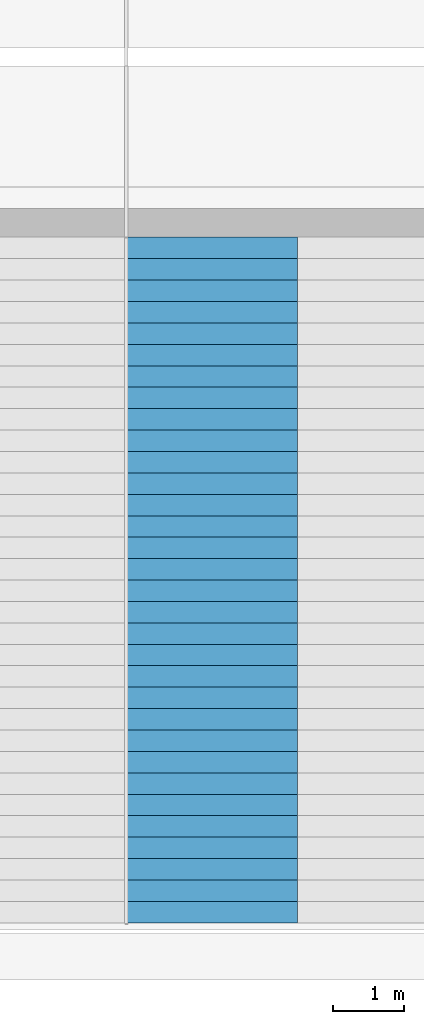
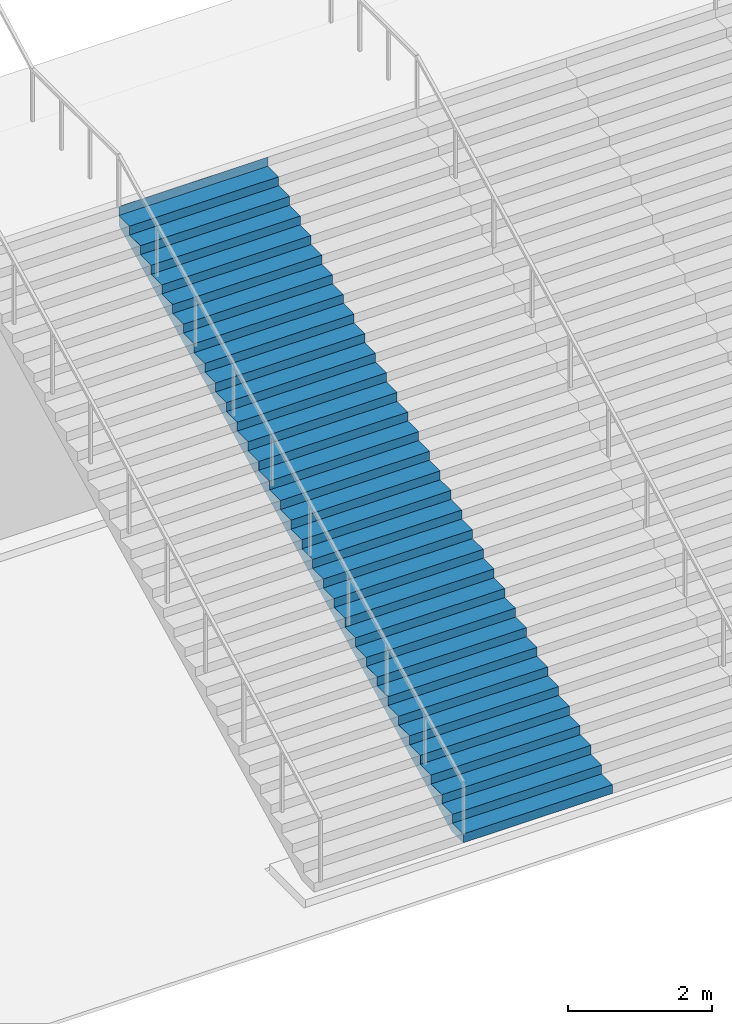
# One storey, part 31 of 57: 1 stair flight, 1 element without a shape of its own.
"""IFC4 building model written with IfcOpenShell, lengths in metres."""

import ifcopenshell
import ifcopenshell.guid

model = None  # the IFC model being written
_history = None  # IfcOwnerHistory: only IFC2X3 demands one
_inside = {}  # id of a spatial element -> (the spatial element, [elements in it])
_under = {}  # id of a project, library or spatial element -> (it, [spatial elements below it])
_declared = {}  # id of a project -> (the project, [libraries it declares])
_typed = {}  # id of a type object -> (the type object, [elements of that type])
_made_of = {}  # id of a material, layer set ... -> (it, [elements and type objects made of it])


def new_model(schema):
    """Start an empty IFC model of exactly this schema.

    Asked for "IFC4X3", IfcOpenShell would pick the latest addendum, in which some entities
    have other attributes; the version numbers below select the first issue.
    IFC2X3 requires an IfcOwnerHistory on every rooted entity: one is made here for all.
    """
    global model, _history
    if schema == "IFC4X3":
        model = ifcopenshell.file(schema_version=(4, 3, 0, 0))
    else:
        model = ifcopenshell.file(schema=schema)
    _inside.clear()
    _under.clear()
    _declared.clear()
    _typed.clear()
    _made_of.clear()
    _history = None
    if model.schema == "IFC2X3":
        org = make("IfcOrganization", Name="unknown")
        user = make(
            "IfcPersonAndOrganization",
            ThePerson=make("IfcPerson", FamilyName="unknown"),
            TheOrganization=org,
        )
        app = make(
            "IfcApplication",
            ApplicationDeveloper=org,
            Version="unknown",
            ApplicationFullName="unknown",
            ApplicationIdentifier="unknown",
        )
        _history = make(
            "IfcOwnerHistory",
            OwningUser=user,
            OwningApplication=app,
            ChangeAction="ADDED",
            CreationDate=0,
        )
    return model


def make(cls, **values):
    """One entity of the class cls with the attributes given. An attribute that is None is left unset."""
    return model.create_entity(
        cls, **{name: value for name, value in values.items() if value is not None}
    )


def rooted(cls, **values):
    """An entity with a GlobalId (a new one), such as an element, a storey or a relation."""
    return make(cls, GlobalId=ifcopenshell.guid.new(), OwnerHistory=_history, **values)


def si_unit(unit_type, name, prefix=None):
    """IfcSIUnit, for example si_unit("LENGTHUNIT", "METRE", prefix="MILLI")."""
    return make("IfcSIUnit", UnitType=unit_type, Prefix=prefix, Name=name)


def assignment(units):
    """IfcUnitAssignment: the units of a project."""
    return None if units is None else make("IfcUnitAssignment", Units=units)


def point(xyz):
    """IfcCartesianPoint."""
    return None if xyz is None else make("IfcCartesianPoint", Coordinates=xyz)


def direction(xyz):
    """IfcDirection."""
    return None if xyz is None else make("IfcDirection", DirectionRatios=xyz)


def frame(location, z_axis=None, x_axis=None):
    """IfcAxis2Placement3D, a coordinate frame: its origin and axes. An axis left out is left unset."""
    return make(
        "IfcAxis2Placement3D",
        Location=point(location),
        Axis=direction(z_axis),
        RefDirection=direction(x_axis),
    )


def origin():
    """The frame at (0, 0, 0) with its axes left unset."""
    return frame((0.0, 0.0, 0.0))


def place(relative_to, where):
    """IfcLocalPlacement: puts the frame where relative to a parent placement (None: the world)."""
    return make(
        "IfcLocalPlacement", PlacementRelTo=relative_to, RelativePlacement=where
    )


def context(
    kind, dimensions, precision=None, world=None, true_north=None, identifier=None
):
    """IfcGeometricRepresentationContext, for example the 3D "Model" context."""
    return make(
        "IfcGeometricRepresentationContext",
        ContextIdentifier=identifier,
        ContextType=kind,
        CoordinateSpaceDimension=dimensions,
        Precision=precision,
        WorldCoordinateSystem=world,
        TrueNorth=true_north,
    )


def subcontext(parent, identifier, kind, view, scale=None):
    """IfcGeometricRepresentationSubContext, for example "Body" below "Model"."""
    return make(
        "IfcGeometricRepresentationSubContext",
        ContextIdentifier=identifier,
        ContextType=kind,
        ParentContext=parent,
        TargetScale=scale,
        TargetView=view,
    )


def project(units=None, contexts=None):
    """IfcProject with its units and contexts."""
    return rooted(
        "IfcProject",
        Name="project",
        RepresentationContexts=contexts,
        UnitsInContext=assignment(units),
    )


def spatial(cls, under=None, at=None, **own):
    """A site, building, storey or space (cls), placed at a placement, below another one or the project."""
    s = rooted(cls, ObjectPlacement=at, **own)
    if under is not None:
        _under.setdefault(under.id(), (under, []))[1].append(s)
    return s


def point_list(points):
    """IfcCartesianPointList2D or 3D."""
    cls = (
        "IfcCartesianPointList2D" if len(points[0]) == 2 else "IfcCartesianPointList3D"
    )
    return make(cls, CoordList=points)


def triangles(points, corners, closed=None, point_numbers=None):
    """IfcTriangulatedFaceSet: each triangle names its three corners, points numbered from 1."""
    return make(
        "IfcTriangulatedFaceSet",
        Coordinates=point_list(points),
        Closed=closed,
        CoordIndex=corners,
        PnIndex=point_numbers,
    )


def shape(context_of_items, identifier, shape_type, items):
    """IfcShapeRepresentation: the items that make up one representation, for example the "Body"."""
    return make(
        "IfcShapeRepresentation",
        ContextOfItems=context_of_items,
        RepresentationIdentifier=identifier,
        RepresentationType=shape_type,
        Items=items,
    )


def material(Name=None, Category=None):
    """IfcMaterial."""
    return make("IfcMaterial", Name=Name, Category=Category)


def made_of(thing, what):
    """Note that an element or type object is made of a material, layer set ...; save() writes the relation."""
    if what is not None:
        _made_of.setdefault(what.id(), (what, []))[1].append(thing)
    return thing


def type_object(cls, material=None, **own):
    """A type object (cls), such as IfcWallType, which elements share."""
    return made_of(rooted(cls, **own), material)


def element(
    cls,
    number,
    at=None,
    inside=None,
    cuts=None,
    type_object=None,
    material=None,
    context=None,
    identifier="Body",
    shape_type=None,
    held_by="IfcProductDefinitionShape",
    body=None,
    shapes=None,
    **own,
):
    """One element of the class cls, such as IfcWall. Its Tag is "e" and its number.

    at: its placement. inside: the storey or other place that contains it. cuts: it is an
    opening in that element (IfcRelVoidsElement). A single representation is given by context,
    identifier, shape_type and body (its items); several are given by shapes. held_by: the class
    of the entity that holds the representations. save() writes the other relations.
    """
    e = rooted(cls, Tag="e%d" % number, ObjectPlacement=at, **own)
    if body is not None:
        shapes = [shape(context, identifier, shape_type, body)]
    if shapes is not None:
        e.Representation = make(held_by, Representations=shapes)
    if inside is not None:
        _inside.setdefault(inside.id(), (inside, []))[1].append(e)
    if cuts is not None:
        rooted(
            "IfcRelVoidsElement", RelatingBuildingElement=cuts, RelatedOpeningElement=e
        )
    if type_object is not None:
        _typed.setdefault(type_object.id(), (type_object, []))[1].append(e)
    return made_of(e, material)


def aggregate(whole, parts):
    """IfcRelAggregates: a whole, such as a stair, and the parts it consists of."""
    return rooted("IfcRelAggregates", RelatingObject=whole, RelatedObjects=parts)


def save(model, path):
    """Write the relations noted so far, then the file.

    IfcRelAggregates (storeys below a building ...), IfcRelContainedInSpatialStructure (elements
    in a storey), IfcRelDefinesByType, IfcRelAssociatesMaterial and IfcRelDeclares: one each for
    every whole, place, type object, material and project.
    """
    for whole, parts in _under.values():
        aggregate(whole, parts)
    for where, things in _inside.values():
        rooted(
            "IfcRelContainedInSpatialStructure",
            RelatedElements=things,
            RelatingStructure=where,
        )
    for kind, things in _typed.values():
        rooted("IfcRelDefinesByType", RelatedObjects=things, RelatingType=kind)
    for what, things in _made_of.values():
        rooted("IfcRelAssociatesMaterial", RelatedObjects=things, RelatingMaterial=what)
    for by, libraries in _declared.values():
        rooted("IfcRelDeclares", RelatingContext=by, RelatedDefinitions=libraries)
    model.write(path)


model = new_model("IFC4")

# Units and contexts
model_context = context("Model", 3, precision=1e-05, world=origin(), true_north=direction((0.0, 1.0)))
body_context = subcontext(model_context, "Body", "Model", "MODEL_VIEW")
ifc_project = project(units=[si_unit("LENGTHUNIT", "METRE"), si_unit("AREAUNIT", "SQUARE_METRE"), si_unit("VOLUMEUNIT", "CUBIC_METRE"), si_unit("PLANEANGLEUNIT", "RADIAN"), si_unit("MASSUNIT", "GRAM", prefix="KILO")], contexts=[model_context])

# Site, building, storey
site_placement = place(None, origin())
site = spatial("IfcSite", under=ifc_project, at=site_placement, CompositionType="ELEMENT")
building_placement = place(site_placement, origin())
building = spatial("IfcBuilding", under=site, at=building_placement, Name="Beryl Residences", CompositionType="ELEMENT")
storey_placement = place(building_placement, origin())
storey = spatial("IfcBuildingStorey", under=building, at=storey_placement, Name="L00", CompositionType="ELEMENT", Elevation=0.0)

# Stair, stair flight
ifc_material_1 = material(Name="Precast concrete C40/50", Category="concrete")
stair_type = type_object("IfcStairType", Name="GS1 garden stair", PredefinedType="STRAIGHT_RUN_STAIR", material=ifc_material_1)
stair_placement = place(storey_placement, origin())
stair = element("IfcStair", 1, at=stair_placement, inside=storey, type_object=stair_type, Name="GS1 garden stair", PredefinedType="STRAIGHT_RUN_STAIR")
ifc_material_2 = material(Name="Precast concrete C40/50", Category="concrete")
stair_flight_type = type_object("IfcStairFlightType", Name="GF1 garden stair flight", PredefinedType="STRAIGHT", material=ifc_material_2)
stair_flight_placement = place(storey_placement, frame((-8.39990234375, -54.199951171875, 0.0), z_axis=(0.0, 0.0, 1.0), x_axis=(0.0, 1.0, 0.0)))
stair_flight = element("IfcStairFlight", 2, at=stair_flight_placement, type_object=stair_flight_type, Name="GS1 flight 2", NumberOfRisers=33, NumberOfTreads=32, PredefinedType="STRAIGHT", RiserHeight=0.151515152, TreadLength=0.3, context=body_context, shape_type="Tessellation", body=[
    triangles([(0.0, -1.199951171875, 0.0), (0.0, -0.60009765625, 0.0), (0.0, 0.0, 0.0), (0.0, 0.60009765625, 0.0), (0.0, 1.199951171875, 0.0), (0.0, -1.199951171875, 0.151611328125), (0.0, -0.60009765625, 0.151611328125), (0.0, 0.0, 0.151611328125), (0.0, 0.60009765625, 0.151611328125), (0.0, 1.199951171875, 0.151611328125), (0.300048828125, -1.199951171875, 0.151611328125), (0.300048828125, -0.60009765625, 0.151611328125), (0.300048828125, 0.0, 0.151611328125), (0.300048828125, 0.60009765625, 0.151611328125), (0.300048828125, 1.199951171875, 0.151611328125), (0.300048828125, -1.199951171875, 0.302978515625), (0.300048828125, -0.60009765625, 0.302978515625), (0.300048828125, 0.0, 0.302978515625), (0.300048828125, 0.60009765625, 0.302978515625), (0.300048828125, 1.199951171875, 0.302978515625), (0.60009765625, -1.199951171875, 0.302978515625), (0.60009765625, -0.60009765625, 0.302978515625), (0.60009765625, 0.0, 0.302978515625), (0.60009765625, 0.60009765625, 0.302978515625), (0.60009765625, 1.199951171875, 0.302978515625), (0.60009765625, -1.199951171875, 0.45458984375), (0.60009765625, -0.60009765625, 0.45458984375), (0.60009765625, 0.0, 0.45458984375), (0.60009765625, 0.60009765625, 0.45458984375), (0.60009765625, 1.199951171875, 0.45458984375), (0.89990234375, -1.199951171875, 0.45458984375), (0.89990234375, -0.60009765625, 0.45458984375), (0.89990234375, 0.0, 0.45458984375), (0.89990234375, 0.60009765625, 0.45458984375), (0.89990234375, 1.199951171875, 0.45458984375), (0.89990234375, -1.199951171875, 0.60595703125), (0.89990234375, -0.60009765625, 0.60595703125), (0.89990234375, 0.0, 0.60595703125), (0.89990234375, 0.60009765625, 0.60595703125), (0.89990234375, 1.199951171875, 0.60595703125), (1.199951171875, -1.199951171875, 0.60595703125), (1.199951171875, -0.60009765625, 0.60595703125), (1.199951171875, 0.0, 0.60595703125), (1.199951171875, 0.60009765625, 0.60595703125), (1.199951171875, 1.199951171875, 0.60595703125), (1.199951171875, -1.199951171875, 0.757568359375), (1.199951171875, -0.60009765625, 0.757568359375), (1.199951171875, 0.0, 0.757568359375), (1.199951171875, 0.60009765625, 0.757568359375), (1.199951171875, 1.199951171875, 0.757568359375), (1.5, -1.199951171875, 0.757568359375), (1.5, -0.60009765625, 0.757568359375), (1.5, 0.0, 0.757568359375), (1.5, 0.60009765625, 0.757568359375), (1.5, 1.199951171875, 0.757568359375), (1.5, -1.199951171875, 0.9091796875), (1.5, -0.60009765625, 0.9091796875), (1.5, 0.0, 0.9091796875), (1.5, 0.60009765625, 0.9091796875), (1.5, 1.199951171875, 0.9091796875), (1.800048828125, -1.199951171875, 0.9091796875), (1.800048828125, -0.60009765625, 0.9091796875), (1.800048828125, 0.0, 0.9091796875), (1.800048828125, 0.60009765625, 0.9091796875), (1.800048828125, 1.199951171875, 0.9091796875), (1.800048828125, -1.199951171875, 1.060546875), (1.800048828125, -0.60009765625, 1.060546875), (1.800048828125, 0.0, 1.060546875), (1.800048828125, 0.60009765625, 1.060546875), (1.800048828125, 1.199951171875, 1.060546875), (2.10009765625, -1.199951171875, 1.060546875), (2.10009765625, -0.60009765625, 1.060546875), (2.10009765625, 0.0, 1.060546875), (2.10009765625, 0.60009765625, 1.060546875), (2.10009765625, 1.199951171875, 1.060546875), (2.10009765625, -1.199951171875, 1.212158203125), (2.10009765625, -0.60009765625, 1.212158203125), (2.10009765625, 0.0, 1.212158203125), (2.10009765625, 0.60009765625, 1.212158203125), (2.10009765625, 1.199951171875, 1.212158203125), (2.39990234375, -1.199951171875, 1.212158203125), (2.39990234375, -0.60009765625, 1.212158203125), (2.39990234375, 0.0, 1.212158203125), (2.39990234375, 0.60009765625, 1.212158203125), (2.39990234375, 1.199951171875, 1.212158203125), (2.39990234375, -1.199951171875, 1.363525390625), (2.39990234375, -0.60009765625, 1.363525390625), (2.39990234375, 0.0, 1.363525390625), (2.39990234375, 0.60009765625, 1.363525390625), (2.39990234375, 1.199951171875, 1.363525390625), (2.699951171875, -1.199951171875, 1.363525390625), (2.699951171875, -0.60009765625, 1.363525390625), (2.699951171875, 0.0, 1.363525390625), (2.699951171875, 0.60009765625, 1.363525390625), (2.699951171875, 1.199951171875, 1.363525390625), (2.699951171875, -1.199951171875, 1.51513671875), (2.699951171875, -0.60009765625, 1.51513671875), (2.699951171875, 0.0, 1.51513671875), (2.699951171875, 0.60009765625, 1.51513671875), (2.699951171875, 1.199951171875, 1.51513671875), (3.0, -1.199951171875, 1.51513671875), (3.0, -0.60009765625, 1.51513671875), (3.0, 0.0, 1.51513671875), (3.0, 0.60009765625, 1.51513671875), (3.0, 1.199951171875, 1.51513671875), (3.0, -1.199951171875, 1.666748046875), (3.0, -0.60009765625, 1.666748046875), (3.0, 0.0, 1.666748046875), (3.0, 0.60009765625, 1.666748046875), (3.0, 1.199951171875, 1.666748046875), (3.300048828125, -1.199951171875, 1.666748046875), (3.300048828125, -0.60009765625, 1.666748046875), (3.300048828125, 0.0, 1.666748046875), (3.300048828125, 0.60009765625, 1.666748046875), (3.300048828125, 1.199951171875, 1.666748046875), (3.300048828125, -1.199951171875, 1.818115234375), (3.300048828125, -0.60009765625, 1.818115234375), (3.300048828125, 0.0, 1.818115234375), (3.300048828125, 0.60009765625, 1.818115234375), (3.300048828125, 1.199951171875, 1.818115234375), (3.60009765625, -1.199951171875, 1.818115234375), (3.60009765625, -0.60009765625, 1.818115234375), (3.60009765625, 0.0, 1.818115234375), (3.60009765625, 0.60009765625, 1.818115234375), (3.60009765625, 1.199951171875, 1.818115234375), (3.60009765625, -1.199951171875, 1.9697265625), (3.60009765625, -0.60009765625, 1.9697265625), (3.60009765625, 0.0, 1.9697265625), (3.60009765625, 0.60009765625, 1.9697265625), (3.60009765625, 1.199951171875, 1.9697265625), (3.89990234375, -1.199951171875, 1.9697265625), (3.89990234375, -0.60009765625, 1.9697265625), (3.89990234375, 0.0, 1.9697265625), (3.89990234375, 0.60009765625, 1.9697265625), (3.89990234375, 1.199951171875, 1.9697265625), (3.89990234375, -1.199951171875, 2.12109375), (3.89990234375, -0.60009765625, 2.12109375), (3.89990234375, 0.0, 2.12109375), (3.89990234375, 0.60009765625, 2.12109375), (3.89990234375, 1.199951171875, 2.12109375), (4.199951171875, -1.199951171875, 2.12109375), (4.199951171875, -0.60009765625, 2.12109375), (4.199951171875, 0.0, 2.12109375), (4.199951171875, 0.60009765625, 2.12109375), (4.199951171875, 1.199951171875, 2.12109375), (4.199951171875, -1.199951171875, 2.272705078125), (4.199951171875, -0.60009765625, 2.272705078125), (4.199951171875, 0.0, 2.272705078125), (4.199951171875, 0.60009765625, 2.272705078125), (4.199951171875, 1.199951171875, 2.272705078125), (4.5, -1.199951171875, 2.272705078125), (4.5, -0.60009765625, 2.272705078125), (4.5, 0.0, 2.272705078125), (4.5, 0.60009765625, 2.272705078125), (4.5, 1.199951171875, 2.272705078125), (4.5, -1.199951171875, 2.42431640625), (4.5, -0.60009765625, 2.42431640625), (4.5, 0.0, 2.42431640625), (4.5, 0.60009765625, 2.42431640625), (4.5, 1.199951171875, 2.42431640625), (4.800048828125, -1.199951171875, 2.42431640625), (4.800048828125, -0.60009765625, 2.42431640625), (4.800048828125, 0.0, 2.42431640625), (4.800048828125, 0.60009765625, 2.42431640625), (4.800048828125, 1.199951171875, 2.42431640625), (4.800048828125, -1.199951171875, 2.57568359375), (4.800048828125, -0.60009765625, 2.57568359375), (4.800048828125, 0.0, 2.57568359375), (4.800048828125, 0.60009765625, 2.57568359375), (4.800048828125, 1.199951171875, 2.57568359375), (5.10009765625, -1.199951171875, 2.57568359375), (5.10009765625, -0.60009765625, 2.57568359375), (5.10009765625, 0.0, 2.57568359375), (5.10009765625, 0.60009765625, 2.57568359375), (5.10009765625, 1.199951171875, 2.57568359375), (5.10009765625, -1.199951171875, 2.727294921875), (5.10009765625, -0.60009765625, 2.727294921875), (5.10009765625, 0.0, 2.727294921875), (5.10009765625, 0.60009765625, 2.727294921875), (5.10009765625, 1.199951171875, 2.727294921875), (5.39990234375, -1.199951171875, 2.727294921875), (5.39990234375, -0.60009765625, 2.727294921875), (5.39990234375, 0.0, 2.727294921875), (5.39990234375, 0.60009765625, 2.727294921875), (5.39990234375, 1.199951171875, 2.727294921875), (5.39990234375, -1.199951171875, 2.87890625), (5.39990234375, -0.60009765625, 2.87890625), (5.39990234375, 0.0, 2.87890625), (5.39990234375, 0.60009765625, 2.87890625), (5.39990234375, 1.199951171875, 2.87890625), (5.699951171875, -1.199951171875, 2.87890625), (5.699951171875, -0.60009765625, 2.87890625), (5.699951171875, 0.0, 2.87890625), (5.699951171875, 0.60009765625, 2.87890625), (5.699951171875, 1.199951171875, 2.87890625), (5.699951171875, -1.199951171875, 3.0302734375), (5.699951171875, -0.60009765625, 3.0302734375), (5.699951171875, 0.0, 3.0302734375), (5.699951171875, 0.60009765625, 3.0302734375), (5.699951171875, 1.199951171875, 3.0302734375), (6.0, -1.199951171875, 3.0302734375), (6.0, -0.60009765625, 3.0302734375), (6.0, 0.0, 3.0302734375), (6.0, 0.60009765625, 3.0302734375), (6.0, 1.199951171875, 3.0302734375), (6.0, -1.199951171875, 3.181884765625), (6.0, -0.60009765625, 3.181884765625), (6.0, 0.0, 3.181884765625), (6.0, 0.60009765625, 3.181884765625), (6.0, 1.199951171875, 3.181884765625), (6.300048828125, -1.199951171875, 3.181884765625), (6.300048828125, -0.60009765625, 3.181884765625), (6.300048828125, 0.0, 3.181884765625), (6.300048828125, 0.60009765625, 3.181884765625), (6.300048828125, 1.199951171875, 3.181884765625), (6.300048828125, -1.199951171875, 3.333251953125), (6.300048828125, -0.60009765625, 3.333251953125), (6.300048828125, 0.0, 3.333251953125), (6.300048828125, 0.60009765625, 3.333251953125), (6.300048828125, 1.199951171875, 3.333251953125), (6.60009765625, -1.199951171875, 3.333251953125), (6.60009765625, -0.60009765625, 3.333251953125), (6.60009765625, 0.0, 3.333251953125), (6.60009765625, 0.60009765625, 3.333251953125), (6.60009765625, 1.199951171875, 3.333251953125), (6.60009765625, -1.199951171875, 3.48486328125), (6.60009765625, -0.60009765625, 3.48486328125), (6.60009765625, 0.0, 3.48486328125), (6.60009765625, 0.60009765625, 3.48486328125), (6.60009765625, 1.199951171875, 3.48486328125), (6.89990234375, -1.199951171875, 3.48486328125), (6.89990234375, -0.60009765625, 3.48486328125), (6.89990234375, 0.0, 3.48486328125), (6.89990234375, 0.60009765625, 3.48486328125), (6.89990234375, 1.199951171875, 3.48486328125), (6.89990234375, -1.199951171875, 3.636474609375), (6.89990234375, -0.60009765625, 3.636474609375), (6.89990234375, 0.0, 3.636474609375), (6.89990234375, 0.60009765625, 3.636474609375), (6.89990234375, 1.199951171875, 3.636474609375), (7.199951171875, -1.199951171875, 3.636474609375), (7.199951171875, -0.60009765625, 3.636474609375), (7.199951171875, 0.0, 3.636474609375), (7.199951171875, 0.60009765625, 3.636474609375), (7.199951171875, 1.199951171875, 3.636474609375), (7.199951171875, -1.199951171875, 3.787841796875), (7.199951171875, -0.60009765625, 3.787841796875), (7.199951171875, 0.0, 3.787841796875), (7.199951171875, 0.60009765625, 3.787841796875), (7.199951171875, 1.199951171875, 3.787841796875), (7.5, -1.199951171875, 3.787841796875), (7.5, -0.60009765625, 3.787841796875), (7.5, 0.0, 3.787841796875), (7.5, 0.60009765625, 3.787841796875), (7.5, 1.199951171875, 3.787841796875), (7.5, -1.199951171875, 3.939453125), (7.5, -0.60009765625, 3.939453125), (7.5, 0.0, 3.939453125), (7.5, 0.60009765625, 3.939453125), (7.5, 1.199951171875, 3.939453125), (7.800048828125, -1.199951171875, 3.939453125), (7.800048828125, -0.60009765625, 3.939453125), (7.800048828125, 0.0, 3.939453125), (7.800048828125, 0.60009765625, 3.939453125), (7.800048828125, 1.199951171875, 3.939453125), (7.800048828125, -1.199951171875, 4.0908203125), (7.800048828125, -0.60009765625, 4.0908203125), (7.800048828125, 0.0, 4.0908203125), (7.800048828125, 0.60009765625, 4.0908203125), (7.800048828125, 1.199951171875, 4.0908203125), (8.10009765625, -1.199951171875, 4.0908203125), (8.10009765625, -0.60009765625, 4.0908203125), (8.10009765625, 0.0, 4.0908203125), (8.10009765625, 0.60009765625, 4.0908203125), (8.10009765625, 1.199951171875, 4.0908203125), (8.10009765625, -1.199951171875, 4.242431640625), (8.10009765625, -0.60009765625, 4.242431640625), (8.10009765625, 0.0, 4.242431640625), (8.10009765625, 0.60009765625, 4.242431640625), (8.10009765625, 1.199951171875, 4.242431640625), (8.39990234375, -1.199951171875, 4.242431640625), (8.39990234375, -0.60009765625, 4.242431640625), (8.39990234375, 0.0, 4.242431640625), (8.39990234375, 0.60009765625, 4.242431640625), (8.39990234375, 1.199951171875, 4.242431640625), (8.39990234375, -1.199951171875, 4.39404296875), (8.39990234375, -0.60009765625, 4.39404296875), (8.39990234375, 0.0, 4.39404296875), (8.39990234375, 0.60009765625, 4.39404296875), (8.39990234375, 1.199951171875, 4.39404296875), (8.699951171875, -1.199951171875, 4.39404296875), (8.699951171875, -0.60009765625, 4.39404296875), (8.699951171875, 0.0, 4.39404296875), (8.699951171875, 0.60009765625, 4.39404296875), (8.699951171875, 1.199951171875, 4.39404296875), (8.699951171875, -1.199951171875, 4.54541015625), (8.699951171875, -0.60009765625, 4.54541015625), (8.699951171875, 0.0, 4.54541015625), (8.699951171875, 0.60009765625, 4.54541015625), (8.699951171875, 1.199951171875, 4.54541015625), (9.0, -1.199951171875, 4.54541015625), (9.0, -0.60009765625, 4.54541015625), (9.0, 0.0, 4.54541015625), (9.0, 0.60009765625, 4.54541015625), (9.0, 1.199951171875, 4.54541015625), (9.0, -1.199951171875, 4.697021484375), (9.0, -0.60009765625, 4.697021484375), (9.0, 0.0, 4.697021484375), (9.0, 0.60009765625, 4.697021484375), (9.0, 1.199951171875, 4.697021484375), (9.300048828125, -1.199951171875, 4.697021484375), (9.300048828125, -0.60009765625, 4.697021484375), (9.300048828125, 0.0, 4.697021484375), (9.300048828125, 0.60009765625, 4.697021484375), (9.300048828125, 1.199951171875, 4.697021484375), (9.300048828125, -1.199951171875, 4.848388671875), (9.300048828125, -0.60009765625, 4.848388671875), (9.300048828125, 0.0, 4.848388671875), (9.300048828125, 0.60009765625, 4.848388671875), (9.300048828125, 1.199951171875, 4.848388671875), (9.60009765625, -1.199951171875, 4.848388671875), (9.60009765625, -0.60009765625, 4.848388671875), (9.60009765625, 0.0, 4.848388671875), (9.60009765625, 0.60009765625, 4.848388671875), (9.60009765625, 1.199951171875, 4.848388671875), (9.60009765625, -1.199951171875, 5.0), (9.60009765625, -0.60009765625, 5.0), (9.60009765625, 0.0, 5.0), (9.60009765625, 0.60009765625, 5.0), (9.60009765625, 1.199951171875, 5.0), (9.60107421875, -1.199951171875, 5.0), (9.60107421875, -0.60009765625, 5.0), (9.60107421875, 0.0, 5.0), (9.60107421875, 0.60009765625, 5.0), (9.60107421875, 1.199951171875, 5.0), (9.60107421875, -1.199951171875, 4.6806640625), (9.60107421875, -0.60009765625, 4.6806640625), (9.60107421875, 0.0, 4.6806640625), (9.60107421875, 0.60009765625, 4.6806640625), (9.60107421875, 1.199951171875, 4.6806640625), (0.33349609375, -1.199951171875, 0.0), (0.33349609375, -0.60009765625, 0.0), (0.33349609375, 0.0, 0.0), (0.33349609375, 0.60009765625, 0.0), (0.33349609375, 1.199951171875, 0.0)], [[1, 6, 7], [1, 7, 2], [2, 7, 8], [2, 8, 3], [3, 8, 9], [3, 9, 4], [4, 9, 10], [4, 10, 5], [6, 11, 12], [6, 12, 7], [7, 12, 13], [7, 13, 8], [8, 13, 14], [8, 14, 9], [9, 14, 15], [9, 15, 10], [11, 16, 17], [11, 17, 12], [12, 17, 18], [12, 18, 13], [13, 18, 19], [13, 19, 14], [14, 19, 20], [14, 20, 15], [16, 21, 22], [16, 22, 17], [17, 22, 23], [17, 23, 18], [18, 23, 24], [18, 24, 19], [19, 24, 25], [19, 25, 20], [21, 26, 27], [21, 27, 22], [22, 27, 28], [22, 28, 23], [23, 28, 29], [23, 29, 24], [24, 29, 30], [24, 30, 25], [26, 31, 32], [26, 32, 27], [27, 32, 33], [27, 33, 28], [28, 33, 34], [28, 34, 29], [29, 34, 35], [29, 35, 30], [31, 36, 37], [31, 37, 32], [32, 37, 38], [32, 38, 33], [33, 38, 39], [33, 39, 34], [34, 39, 40], [34, 40, 35], [36, 41, 42], [36, 42, 37], [37, 42, 43], [37, 43, 38], [38, 43, 44], [38, 44, 39], [39, 44, 45], [39, 45, 40], [41, 46, 47], [41, 47, 42], [42, 47, 48], [42, 48, 43], [43, 48, 49], [43, 49, 44], [44, 49, 50], [44, 50, 45], [46, 51, 52], [46, 52, 47], [47, 52, 53], [47, 53, 48], [48, 53, 54], [48, 54, 49], [49, 54, 55], [49, 55, 50], [51, 56, 57], [51, 57, 52], [52, 57, 58], [52, 58, 53], [53, 58, 59], [53, 59, 54], [54, 59, 60], [54, 60, 55], [56, 61, 62], [56, 62, 57], [57, 62, 63], [57, 63, 58], [58, 63, 64], [58, 64, 59], [59, 64, 65], [59, 65, 60], [61, 66, 67], [61, 67, 62], [62, 67, 68], [62, 68, 63], [63, 68, 69], [63, 69, 64], [64, 69, 70], [64, 70, 65], [66, 71, 72], [66, 72, 67], [67, 72, 73], [67, 73, 68], [68, 73, 74], [68, 74, 69], [69, 74, 75], [69, 75, 70], [71, 76, 77], [71, 77, 72], [72, 77, 78], [72, 78, 73], [73, 78, 79], [73, 79, 74], [74, 79, 80], [74, 80, 75], [76, 81, 82], [76, 82, 77], [77, 82, 83], [77, 83, 78], [78, 83, 84], [78, 84, 79], [79, 84, 85], [79, 85, 80], [81, 86, 87], [81, 87, 82], [82, 87, 88], [82, 88, 83], [83, 88, 89], [83, 89, 84], [84, 89, 90], [84, 90, 85], [86, 91, 92], [86, 92, 87], [87, 92, 93], [87, 93, 88], [88, 93, 94], [88, 94, 89], [89, 94, 95], [89, 95, 90], [91, 96, 97], [91, 97, 92], [92, 97, 98], [92, 98, 93], [93, 98, 99], [93, 99, 94], [94, 99, 100], [94, 100, 95], [96, 101, 102], [96, 102, 97], [97, 102, 103], [97, 103, 98], [98, 103, 104], [98, 104, 99], [99, 104, 105], [99, 105, 100], [101, 106, 107], [101, 107, 102], [102, 107, 108], [102, 108, 103], [103, 108, 109], [103, 109, 104], [104, 109, 110], [104, 110, 105], [106, 111, 112], [106, 112, 107], [107, 112, 113], [107, 113, 108], [108, 113, 114], [108, 114, 109], [109, 114, 115], [109, 115, 110], [111, 116, 117], [111, 117, 112], [112, 117, 118], [112, 118, 113], [113, 118, 119], [113, 119, 114], [114, 119, 120], [114, 120, 115], [116, 121, 122], [116, 122, 117], [117, 122, 123], [117, 123, 118], [118, 123, 124], [118, 124, 119], [119, 124, 125], [119, 125, 120], [121, 126, 127], [121, 127, 122], [122, 127, 128], [122, 128, 123], [123, 128, 129], [123, 129, 124], [124, 129, 130], [124, 130, 125], [126, 131, 132], [126, 132, 127], [127, 132, 133], [127, 133, 128], [128, 133, 134], [128, 134, 129], [129, 134, 135], [129, 135, 130], [131, 136, 137], [131, 137, 132], [132, 137, 138], [132, 138, 133], [133, 138, 139], [133, 139, 134], [134, 139, 140], [134, 140, 135], [136, 141, 142], [136, 142, 137], [137, 142, 143], [137, 143, 138], [138, 143, 144], [138, 144, 139], [139, 144, 145], [139, 145, 140], [141, 146, 147], [141, 147, 142], [142, 147, 148], [142, 148, 143], [143, 148, 149], [143, 149, 144], [144, 149, 150], [144, 150, 145], [146, 151, 152], [146, 152, 147], [147, 152, 153], [147, 153, 148], [148, 153, 154], [148, 154, 149], [149, 154, 155], [149, 155, 150], [151, 156, 157], [151, 157, 152], [152, 157, 158], [152, 158, 153], [153, 158, 159], [153, 159, 154], [154, 159, 160], [154, 160, 155], [156, 161, 162], [156, 162, 157], [157, 162, 163], [157, 163, 158], [158, 163, 164], [158, 164, 159], [159, 164, 165], [159, 165, 160], [161, 166, 167], [161, 167, 162], [162, 167, 168], [162, 168, 163], [163, 168, 169], [163, 169, 164], [164, 169, 170], [164, 170, 165], [166, 171, 172], [166, 172, 167], [167, 172, 173], [167, 173, 168], [168, 173, 174], [168, 174, 169], [169, 174, 175], [169, 175, 170], [171, 176, 177], [171, 177, 172], [172, 177, 178], [172, 178, 173], [173, 178, 179], [173, 179, 174], [174, 179, 180], [174, 180, 175], [176, 181, 182], [176, 182, 177], [177, 182, 183], [177, 183, 178], [178, 183, 184], [178, 184, 179], [179, 184, 185], [179, 185, 180], [181, 186, 187], [181, 187, 182], [182, 187, 188], [182, 188, 183], [183, 188, 189], [183, 189, 184], [184, 189, 190], [184, 190, 185], [186, 191, 192], [186, 192, 187], [187, 192, 193], [187, 193, 188], [188, 193, 194], [188, 194, 189], [189, 194, 195], [189, 195, 190], [191, 196, 197], [191, 197, 192], [192, 197, 198], [192, 198, 193], [193, 198, 199], [193, 199, 194], [194, 199, 200], [194, 200, 195], [196, 201, 202], [196, 202, 197], [197, 202, 203], [197, 203, 198], [198, 203, 204], [198, 204, 199], [199, 204, 205], [199, 205, 200], [201, 206, 207], [201, 207, 202], [202, 207, 208], [202, 208, 203], [203, 208, 209], [203, 209, 204], [204, 209, 210], [204, 210, 205], [206, 211, 212], [206, 212, 207], [207, 212, 213], [207, 213, 208], [208, 213, 214], [208, 214, 209], [209, 214, 215], [209, 215, 210], [211, 216, 217], [211, 217, 212], [212, 217, 218], [212, 218, 213], [213, 218, 219], [213, 219, 214], [214, 219, 220], [214, 220, 215], [216, 221, 222], [216, 222, 217], [217, 222, 223], [217, 223, 218], [218, 223, 224], [218, 224, 219], [219, 224, 225], [219, 225, 220], [221, 226, 227], [221, 227, 222], [222, 227, 228], [222, 228, 223], [223, 228, 229], [223, 229, 224], [224, 229, 230], [224, 230, 225], [226, 231, 232], [226, 232, 227], [227, 232, 233], [227, 233, 228], [228, 233, 234], [228, 234, 229], [229, 234, 235], [229, 235, 230], [231, 236, 237], [231, 237, 232], [232, 237, 238], [232, 238, 233], [233, 238, 239], [233, 239, 234], [234, 239, 240], [234, 240, 235], [236, 241, 242], [236, 242, 237], [237, 242, 243], [237, 243, 238], [238, 243, 244], [238, 244, 239], [239, 244, 245], [239, 245, 240], [241, 246, 247], [241, 247, 242], [242, 247, 248], [242, 248, 243], [243, 248, 249], [243, 249, 244], [244, 249, 250], [244, 250, 245], [246, 251, 252], [246, 252, 247], [247, 252, 253], [247, 253, 248], [248, 253, 254], [248, 254, 249], [249, 254, 255], [249, 255, 250], [251, 256, 257], [251, 257, 252], [252, 257, 258], [252, 258, 253], [253, 258, 259], [253, 259, 254], [254, 259, 260], [254, 260, 255], [256, 261, 262], [256, 262, 257], [257, 262, 263], [257, 263, 258], [258, 263, 264], [258, 264, 259], [259, 264, 265], [259, 265, 260], [261, 266, 267], [261, 267, 262], [262, 267, 268], [262, 268, 263], [263, 268, 269], [263, 269, 264], [264, 269, 270], [264, 270, 265], [266, 271, 272], [266, 272, 267], [267, 272, 273], [267, 273, 268], [268, 273, 274], [268, 274, 269], [269, 274, 275], [269, 275, 270], [271, 276, 277], [271, 277, 272], [272, 277, 278], [272, 278, 273], [273, 278, 279], [273, 279, 274], [274, 279, 280], [274, 280, 275], [276, 281, 282], [276, 282, 277], [277, 282, 283], [277, 283, 278], [278, 283, 284], [278, 284, 279], [279, 284, 285], [279, 285, 280], [281, 286, 287], [281, 287, 282], [282, 287, 288], [282, 288, 283], [283, 288, 289], [283, 289, 284], [284, 289, 290], [284, 290, 285], [286, 291, 292], [286, 292, 287], [287, 292, 293], [287, 293, 288], [288, 293, 294], [288, 294, 289], [289, 294, 295], [289, 295, 290], [291, 296, 297], [291, 297, 292], [292, 297, 298], [292, 298, 293], [293, 298, 299], [293, 299, 294], [294, 299, 300], [294, 300, 295], [296, 301, 302], [296, 302, 297], [297, 302, 303], [297, 303, 298], [298, 303, 304], [298, 304, 299], [299, 304, 305], [299, 305, 300], [301, 306, 307], [301, 307, 302], [302, 307, 308], [302, 308, 303], [303, 308, 309], [303, 309, 304], [304, 309, 310], [304, 310, 305], [306, 311, 312], [306, 312, 307], [307, 312, 313], [307, 313, 308], [308, 313, 314], [308, 314, 309], [309, 314, 315], [309, 315, 310], [311, 316, 317], [311, 317, 312], [312, 317, 318], [312, 318, 313], [313, 318, 319], [313, 319, 314], [314, 319, 320], [314, 320, 315], [316, 321, 322], [316, 322, 317], [317, 322, 323], [317, 323, 318], [318, 323, 324], [318, 324, 319], [319, 324, 325], [319, 325, 320], [321, 326, 327], [321, 327, 322], [322, 327, 328], [322, 328, 323], [323, 328, 329], [323, 329, 324], [324, 329, 330], [324, 330, 325], [326, 331, 332], [326, 332, 327], [327, 332, 333], [327, 333, 328], [328, 333, 334], [328, 334, 329], [329, 334, 335], [329, 335, 330], [331, 336, 337], [331, 337, 332], [332, 337, 338], [332, 338, 333], [333, 338, 339], [333, 339, 334], [334, 339, 340], [334, 340, 335], [336, 341, 342], [336, 342, 337], [337, 342, 343], [337, 343, 338], [338, 343, 344], [338, 344, 339], [339, 344, 345], [339, 345, 340], [341, 1, 2], [341, 2, 342], [342, 2, 3], [342, 3, 343], [343, 3, 4], [343, 4, 344], [344, 4, 5], [344, 5, 345], [1, 341, 336], [5, 340, 345], [336, 331, 326], [340, 330, 335], [336, 326, 321], [340, 325, 330], [336, 321, 316], [340, 320, 325], [336, 316, 311], [340, 315, 320], [336, 311, 306], [340, 310, 315], [336, 306, 301], [340, 305, 310], [301, 296, 291], [305, 295, 300], [336, 301, 291], [340, 295, 305], [291, 286, 281], [295, 285, 290], [336, 291, 281], [340, 285, 295], [281, 276, 271], [285, 275, 280], [336, 281, 271], [340, 275, 285], [271, 266, 261], [275, 265, 270], [336, 271, 261], [340, 265, 275], [261, 256, 251], [265, 255, 260], [336, 261, 251], [340, 255, 265], [251, 246, 241], [255, 245, 250], [336, 251, 241], [340, 245, 255], [241, 236, 231], [245, 235, 240], [336, 241, 231], [340, 235, 245], [231, 226, 221], [235, 225, 230], [336, 231, 221], [340, 225, 235], [221, 216, 211], [225, 215, 220], [336, 221, 211], [340, 215, 225], [211, 206, 201], [215, 205, 210], [336, 211, 201], [340, 205, 215], [201, 196, 191], [205, 195, 200], [336, 201, 191], [340, 195, 205], [191, 186, 181], [195, 185, 190], [336, 191, 181], [340, 185, 195], [181, 176, 171], [185, 175, 180], [336, 181, 171], [340, 175, 185], [171, 166, 161], [175, 165, 170], [336, 171, 161], [340, 165, 175], [161, 156, 151], [165, 155, 160], [336, 161, 151], [340, 155, 165], [151, 146, 141], [155, 145, 150], [336, 151, 141], [340, 145, 155], [141, 136, 131], [145, 135, 140], [336, 141, 131], [340, 135, 145], [131, 126, 121], [135, 125, 130], [336, 131, 121], [340, 125, 135], [121, 116, 111], [125, 115, 120], [336, 121, 111], [340, 115, 125], [111, 106, 101], [115, 105, 110], [336, 111, 101], [340, 105, 115], [101, 96, 91], [105, 95, 100], [336, 101, 91], [340, 95, 105], [91, 86, 81], [95, 85, 90], [336, 91, 81], [340, 85, 95], [81, 76, 71], [85, 75, 80], [336, 81, 71], [340, 75, 85], [71, 66, 61], [75, 65, 70], [336, 71, 61], [340, 65, 75], [61, 56, 51], [65, 55, 60], [336, 61, 51], [340, 55, 65], [51, 46, 41], [55, 45, 50], [336, 51, 41], [340, 45, 55], [41, 36, 31], [45, 35, 40], [336, 41, 31], [340, 35, 45], [31, 26, 21], [35, 25, 30], [336, 31, 21], [340, 25, 35], [1, 336, 21], [5, 25, 340], [21, 16, 11], [25, 15, 20], [1, 21, 11], [5, 15, 25], [11, 6, 1], [15, 5, 10]], closed=True),
])
aggregate(stair, [stair_flight])

save(model, "model.ifc")
